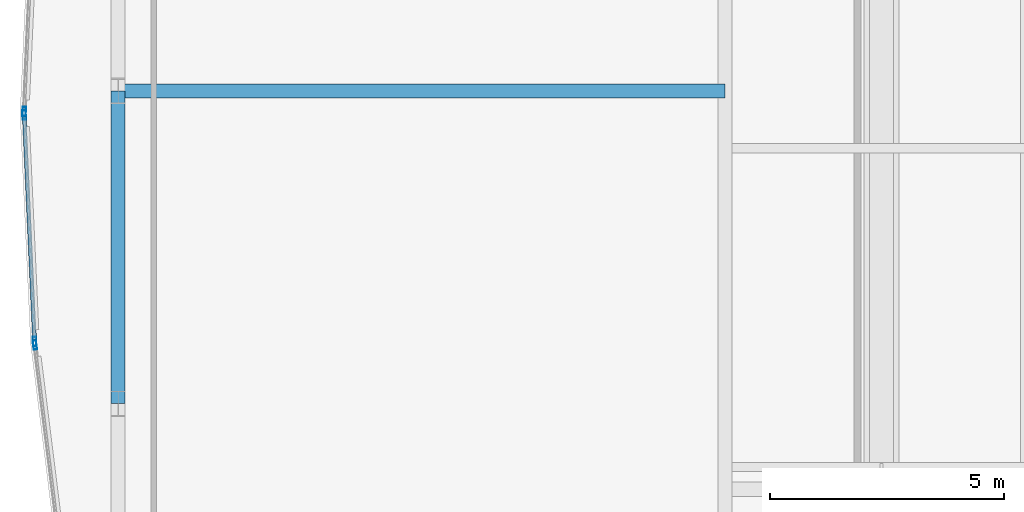
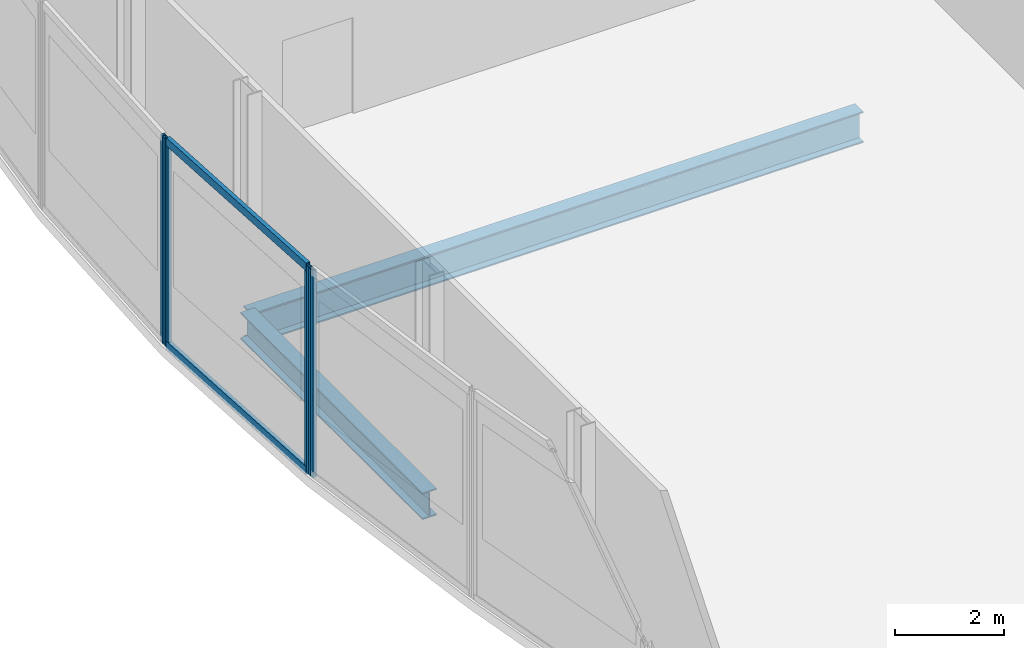
# One storey, part 10 of 30: 6 members, 2 beams, 3 elements without a shape of their own.
"""IFC4 building model written with IfcOpenShell, lengths in metres."""

from ifc_helpers import new_model, si_unit, direction, frame, origin, origin_2d, place, context, subcontext, project, spatial, hollow_rectangle, i_section, extrude, material, material_profile, profile_set, type_object, element, aggregate, save


model = new_model("IFC4")

# Units and contexts
model_context = context("Model", 3, precision=1e-05, world=origin(), true_north=direction((0.0, 1.0)))
body_context = subcontext(model_context, "Body", "Model", "MODEL_VIEW")
ifc_project = project(units=[si_unit("LENGTHUNIT", "METRE"), si_unit("AREAUNIT", "SQUARE_METRE"), si_unit("VOLUMEUNIT", "CUBIC_METRE"), si_unit("PLANEANGLEUNIT", "RADIAN"), si_unit("MASSUNIT", "GRAM", prefix="KILO")], contexts=[model_context])

# Site, building, storey
site_placement = place(None, origin())
site = spatial("IfcSite", under=ifc_project, at=site_placement, CompositionType="ELEMENT")
building_placement = place(site_placement, origin())
building = spatial("IfcBuilding", under=site, at=building_placement, Name="Khoronbel Lancet Exchange", CompositionType="ELEMENT")
storey_placement = place(building_placement, frame((0.0, 0.0, 172.199951171875)))
storey = spatial("IfcBuildingStorey", under=building, at=storey_placement, Name="L43", CompositionType="ELEMENT", Elevation=172.199951171875)

# Beams
ifc_material_1 = material(Name="Steel S355", Category="steel")
ifc_material_profile_1 = material_profile(ifc_material_1, i_section(OverallWidth=0.300048828125, OverallDepth=0.699951171875, WebThickness=0.01708984375, FlangeThickness=0.031982421875, at=origin_2d()), Name="HEB 700")
ifc_profile_set_1 = profile_set([ifc_material_profile_1], Name="Steel S355")
beam_type_1 = type_object("IfcBeamType", Name="BM-BG3", PredefinedType="BEAM", material=ifc_profile_set_1)
beam_1_placement = place(storey_placement, frame((5.27001953125, 31.425048828125, -0.570068359375), z_axis=(1.0, 0.0, 0.0), x_axis=(0.0, 1.0, 0.0)))
element("IfcBeam", 1, at=beam_1_placement, inside=storey, type_object=beam_type_1, Name="Level L43 west lens tie girder LG2W", PredefinedType="BEAM", context=body_context, shape_type="SweptSolid", body=[
    extrude(i_section(OverallWidth=0.300048828125, OverallDepth=0.699951171875, WebThickness=0.01708984375, FlangeThickness=0.031982421875, at=origin_2d()), origin(), (0.0, 0.0, 1.0), 12.955078125),
])
ifc_material_profile_2 = material_profile(ifc_material_1, i_section(OverallWidth=0.300048828125, OverallDepth=0.60009765625, WebThickness=0.015380859375, FlangeThickness=0.030029296875, at=origin_2d()), Name="HEB 600")
ifc_profile_set_2 = profile_set([ifc_material_profile_2], Name="Steel S355")
beam_type_2 = type_object("IfcBeamType", Name="BM-BSP2", PredefinedType="SPANDREL", material=ifc_profile_set_2)
beam_2_placement = place(storey_placement, frame((5.27001953125, 31.425048828125, -0.52001953125), z_axis=(0.0, -1.0, 0.0), x_axis=(1.0, 0.0, 0.0)))
element("IfcBeam", 2, at=beam_2_placement, inside=storey, type_object=beam_type_2, Name="Level L43 perimeter spandrel beam SP19", PredefinedType="SPANDREL", context=body_context, shape_type="SweptSolid", body=[
    extrude(i_section(OverallWidth=0.300048828125, OverallDepth=0.60009765625, WebThickness=0.015380859375, FlangeThickness=0.030029296875, at=origin_2d()), origin(), (0.0, 0.0, 1.0), 6.675048828125),
])

# Curtain wall, member
ifc_material_2 = material(Name="Low-E Solar Control Insulating Glass", Category="glass")
curtain_wall_type = type_object("IfcCurtainWallType", Name="CW-4", PredefinedType="NOTDEFINED", material=ifc_material_2)
curtain_wall_1_placement = place(storey_placement, origin())
curtain_wall_1 = element("IfcCurtainWall", 3, at=curtain_wall_1_placement, inside=storey, type_object=curtain_wall_type, Name="Unitised curtain wall CW-L43-E05", PredefinedType="NOTDEFINED")
ifc_material_3 = material(Name="Bronze-Anodised Aluminium 6063-T6", Category="aluminium")
ifc_material_profile_3 = material_profile(ifc_material_3, hollow_rectangle(XDim=0.074951171875, YDim=0.199951171875, WallThickness=0.0048828125, at=origin_2d()), Name="ALU MULLION 75x200")
ifc_profile_set_3 = profile_set([ifc_material_profile_3], Name="Bronze-Anodised Aluminium 6063-T6")
member_type_1 = type_object("IfcMemberType", Name="MEM-CWM2", PredefinedType="MULLION", material=ifc_profile_set_3)
member_1_placement = place(storey_placement, frame((3.492919921875, 26.003662109375, 0.0), z_axis=(0.0, 0.0, 1.0), x_axis=(-0.992302414475, -0.123838274483, 0.0)))
member_1 = element("IfcMember", 4, at=member_1_placement, type_object=member_type_1, Name="CW4 mullion 2", PredefinedType="MULLION", context=body_context, shape_type="SweptSolid", body=[
    extrude(hollow_rectangle(XDim=0.074951171875, YDim=0.199951171875, WallThickness=0.0048828125, at=origin_2d()), origin(), (0.0, 0.0, 1.0), 4.64013671875),
])
aggregate(curtain_wall_1, [member_1])

# Curtain wall, members
curtain_wall_2_placement = place(storey_placement, origin())
curtain_wall_2 = element("IfcCurtainWall", 5, at=curtain_wall_2_placement, inside=storey, type_object=curtain_wall_type, Name="Unitised curtain wall CW-L43-E06", PredefinedType="NOTDEFINED")
member_2_placement = place(storey_placement, frame((3.486572265625, 26.078369140625, 0.0), z_axis=(0.0, 0.0, 1.0), x_axis=(-0.998959668299, -0.045602424407, 0.0)))
member_2 = element("IfcMember", 6, at=member_2_placement, type_object=member_type_1, Name="CW4 mullion 1", PredefinedType="MULLION", context=body_context, shape_type="SweptSolid", body=[
    extrude(hollow_rectangle(XDim=0.074951171875, YDim=0.199951171875, WallThickness=0.0048828125, at=origin_2d()), origin(), (0.0, 0.0, 1.0), 4.64013671875),
])
member_3_placement = place(storey_placement, frame((3.265869140625, 30.91259765625, 0.0), z_axis=(0.0, 0.0, 1.0), x_axis=(-0.998959668299, -0.045602424407, 0.0)))
member_3 = element("IfcMember", 7, at=member_3_placement, type_object=member_type_1, Name="CW4 mullion 2", PredefinedType="MULLION", context=body_context, shape_type="SweptSolid", body=[
    extrude(hollow_rectangle(XDim=0.074951171875, YDim=0.199951171875, WallThickness=0.0048828125, at=origin_2d()), origin(), (0.0, 0.0, 1.0), 4.64013671875),
])

# Curtain wall, member
curtain_wall_3_placement = place(storey_placement, origin())
curtain_wall_3 = element("IfcCurtainWall", 8, at=curtain_wall_3_placement, inside=storey, type_object=curtain_wall_type, Name="Unitised curtain wall CW-L43-E07", PredefinedType="NOTDEFINED")
member_4_placement = place(storey_placement, frame((3.265869140625, 30.987548828125, 0.0), z_axis=(0.0, 0.0, 1.0), x_axis=(-0.998959668299, 0.045602424407, 0.0)))
member_4 = element("IfcMember", 9, at=member_4_placement, type_object=member_type_1, Name="CW4 mullion 1", PredefinedType="MULLION", context=body_context, shape_type="SweptSolid", body=[
    extrude(hollow_rectangle(XDim=0.074951171875, YDim=0.199951171875, WallThickness=0.0048828125, at=origin_2d()), origin(), (0.0, 0.0, 1.0), 4.64013671875),
])
aggregate(curtain_wall_3, [member_4])

# Member
ifc_material_profile_4 = material_profile(ifc_material_3, hollow_rectangle(XDim=0.0849609375, YDim=0.179931640625, WallThickness=0.0048828125, at=origin_2d()), Name="ALU TRANSOM 85x180")
ifc_profile_set_4 = profile_set([ifc_material_profile_4], Name="Bronze-Anodised Aluminium 6063-T6")
member_type_2 = type_object("IfcMemberType", Name="MEM-CWT1", PredefinedType="USERDEFINED", material=ifc_profile_set_4)
member_5_placement = place(storey_placement, frame((3.48486328125, 26.11572265625, 0.04248046875), z_axis=(-0.045607566219, 0.998959433563, 0.0), x_axis=(-0.998959433563, -0.045607566219, 0.0)))
member_5 = element("IfcMember", 10, at=member_5_placement, type_object=member_type_2, Name="CW4 transom 1.1", ObjectType="TRANSOM", PredefinedType="USERDEFINED", context=body_context, shape_type="SweptSolid", body=[
    extrude(hollow_rectangle(XDim=0.0849609375, YDim=0.179931640625, WallThickness=0.0048828125, at=origin_2d()), origin(), (0.0, 0.0, 1.0), 4.76416015625),
])

member_6_placement = place(storey_placement, frame((3.48486328125, 26.11572265625, 4.59765625), z_axis=(-0.045607566219, 0.998959433563, 0.0), x_axis=(-0.998959433563, -0.045607566219, 0.0)))
member_6 = element("IfcMember", 11, at=member_6_placement, type_object=member_type_2, Name="CW4 transom 1.2", ObjectType="TRANSOM", PredefinedType="USERDEFINED", context=body_context, shape_type="SweptSolid", body=[
    extrude(hollow_rectangle(XDim=0.0849609375, YDim=0.179931640625, WallThickness=0.0048828125, at=origin_2d()), origin(), (0.0, 0.0, 1.0), 4.76416015625),
])

aggregate(curtain_wall_2, [member_2, member_3, member_5, member_6])

save(model, "model.ifc")
